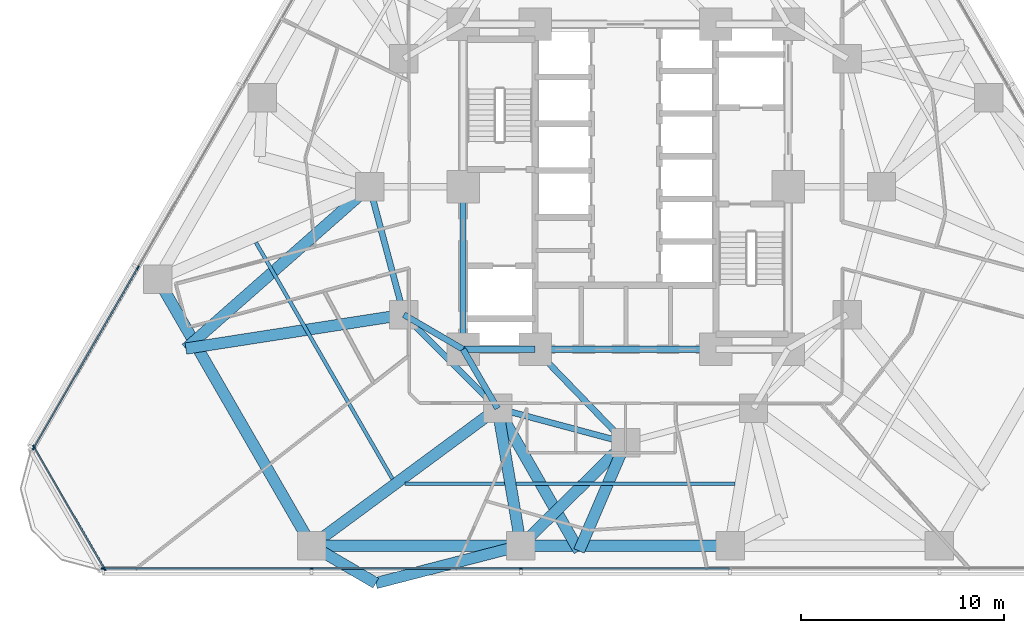
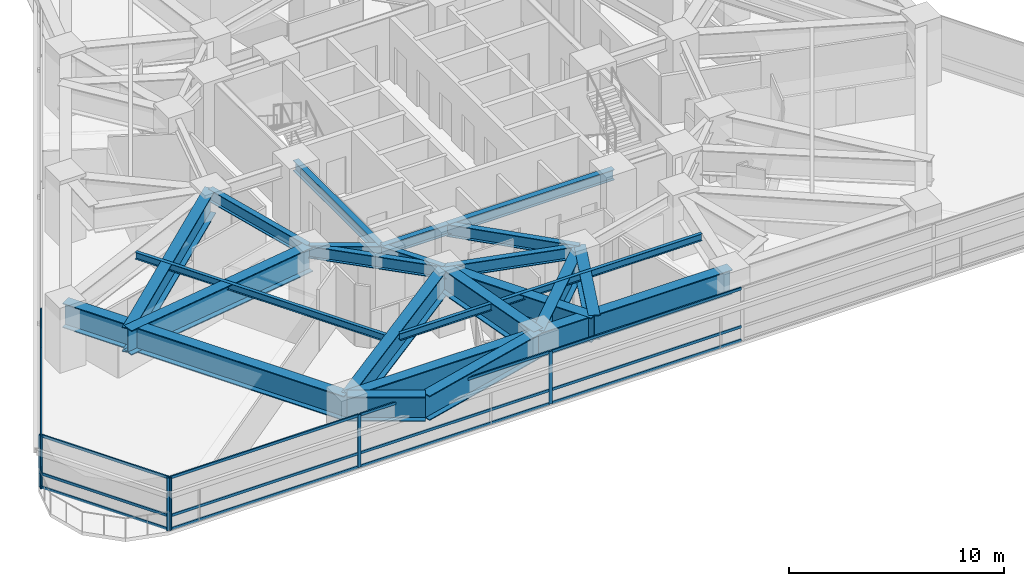
# One storey, part 2 of 15: 24 beams, 22 members, 3 elements without a shape of their own.
"""IFC4 building model written with IfcOpenShell, lengths in metres."""

from ifc_helpers import new_model, si_unit, direction, frame, origin, origin_2d, place, context, subcontext, project, spatial, rectangle, i_section, extrude, material, layer, layer_set, material_profile, profile_set, type_object, element, aggregate, save


model = new_model("IFC4")

# Units and contexts
model_context = context("Model", 3, precision=1e-05, world=origin(), true_north=direction((0.0, 1.0)))
body_context = subcontext(model_context, "Body", "Model", "MODEL_VIEW")
ifc_project = project(units=[si_unit("LENGTHUNIT", "METRE"), si_unit("AREAUNIT", "SQUARE_METRE"), si_unit("VOLUMEUNIT", "CUBIC_METRE"), si_unit("PLANEANGLEUNIT", "RADIAN"), si_unit("MASSUNIT", "GRAM", prefix="KILO")], contexts=[model_context])

# Site, building, storey
site_placement = place(None, origin())
site = spatial("IfcSite", under=ifc_project, at=site_placement, CompositionType="ELEMENT")
building_placement = place(site_placement, origin())
building = spatial("IfcBuilding", under=site, at=building_placement, Name="Terralouvre Media Tower", CompositionType="ELEMENT")
storey_placement = place(building_placement, frame((0.0, 0.0, 51.89990234375)))
storey = spatial("IfcBuildingStorey", under=building, at=storey_placement, Name="L12", CompositionType="ELEMENT", Elevation=51.89990234375)

# Beams
ifc_material_1 = material(Name="Structural steel S355J2", Category="steel")
ifc_material_profile_1 = material_profile(ifc_material_1, i_section(OverallWidth=0.179931640625, OverallDepth=0.39990234375, WebThickness=0.008544921875, FlangeThickness=0.013427734375, at=origin_2d()), Name="IPE 400")
ifc_profile_set_1 = profile_set([ifc_material_profile_1], Name="Structural steel S355J2")
beam_type_1 = type_object("IfcBeamType", Name="Composite Floor Joist J-IPE400 (IPE 400)", PredefinedType="JOIST", material=ifc_profile_set_1)
beam_1_placement = place(storey_placement, frame((-18.19384765625, -2.742919921875, 3.300048828125), z_axis=(0.500000713928, -0.866024991597, 0.0), x_axis=(0.866024991597, 0.500000713928, 0.0)))
element("IfcBeam", 1, at=beam_1_placement, inside=storey, type_object=beam_type_1, Name="L12 Framing Beam JT-L12-01", PredefinedType="JOIST", context=body_context, shape_type="SweptSolid", body=[
    extrude(i_section(OverallWidth=0.179931640625, OverallDepth=0.39990234375, WebThickness=0.008544921875, FlangeThickness=0.013427734375, at=origin_2d()), origin(), (0.0, 0.0, 1.0), 13.44287109375),
])
beam_2_placement = place(storey_placement, frame((-10.863037109375, -14.627197265625, 3.300048828125), z_axis=(1.0, 0.0, 0.0), x_axis=(0.0, 1.0, 0.0)))
element("IfcBeam", 2, at=beam_2_placement, inside=storey, type_object=beam_type_1, Name="L12 Framing Beam JT-L12-02", PredefinedType="JOIST", context=body_context, shape_type="SweptSolid", body=[
    extrude(i_section(OverallWidth=0.179931640625, OverallDepth=0.39990234375, WebThickness=0.008544921875, FlangeThickness=0.013427734375, at=origin_2d()), origin(), (0.0, 0.0, 1.0), 4.91357421875),
])
beam_3_placement = place(storey_placement, frame((-5.385498046875, -14.627197265625, 3.300048828125), z_axis=(1.0, 0.0, 0.0), x_axis=(0.0, 1.0, 0.0)))
element("IfcBeam", 3, at=beam_3_placement, inside=storey, type_object=beam_type_1, Name="L12 Framing Beam JT-L12-03", PredefinedType="JOIST", context=body_context, shape_type="SweptSolid", body=[
    extrude(i_section(OverallWidth=0.179931640625, OverallDepth=0.39990234375, WebThickness=0.008544921875, FlangeThickness=0.013427734375, at=origin_2d()), origin(), (0.0, 0.0, 1.0), 10.77099609375),
])

# Curtain wall, members
ifc_material_2 = material(Name="Low-iron laminated double glazing with solar-control coating", Category="glass")
ifc_layer_1 = layer(ifc_material_2, 0.1650390625, Name="Lower Media Tower Unitised Curtain Wall CW-02")
ifc_layer_set_1 = layer_set([ifc_layer_1], Name="Low-iron laminated double glazing with solar-control coating")
curtain_wall_type_1 = type_object("IfcCurtainWallType", Name="Lower Media Tower Unitised Curtain Wall CW-02", PredefinedType="NOTDEFINED", material=ifc_layer_set_1)
curtain_wall_1_placement = place(storey_placement, origin())
curtain_wall_1 = element("IfcCurtainWall", 4, at=curtain_wall_1_placement, inside=storey, type_object=curtain_wall_type_1, Name="L12 Facade Curtain Wall F0", PredefinedType="NOTDEFINED")
ifc_material_3 = material(Name="Anodised extruded aluminium 6063-T6", Category="aluminium")
ifc_material_profile_2 = material_profile(ifc_material_3, rectangle(XDim=0.074951171875, YDim=0.14990234375, at=origin_2d()), Name="ALU 75x150")
ifc_profile_set_2 = profile_set([ifc_material_profile_2], Name="Anodised extruded aluminium 6063-T6")
member_type_1 = type_object("IfcMemberType", Name="Curtain-Wall Horizontal Transom TR-150", PredefinedType="USERDEFINED", material=ifc_profile_set_2)
member_1_placement = place(storey_placement, frame((-25.675048828125, -18.796875, 0.03759765625), z_axis=(1.0, 0.0, 0.0), x_axis=(0.0, 1.0, 0.0)))
member_1 = element("IfcMember", 5, at=member_1_placement, type_object=member_type_1, Name="CW-02 transom 1.1", ObjectType="TRANSOM", PredefinedType="USERDEFINED", context=body_context, shape_type="SweptSolid", body=[
    extrude(rectangle(XDim=0.074951171875, YDim=0.14990234375, at=origin_2d()), origin(), (0.0, 0.0, 1.0), 10.1875),
])
member_2_placement = place(storey_placement, frame((-25.675048828125, -18.796875, 0.800048828125), z_axis=(1.0, 0.0, 0.0), x_axis=(0.0, 1.0, 0.0)))
member_2 = element("IfcMember", 6, at=member_2_placement, type_object=member_type_1, Name="CW-02 transom 1.2", ObjectType="TRANSOM", PredefinedType="USERDEFINED", context=body_context, shape_type="SweptSolid", body=[
    extrude(rectangle(XDim=0.074951171875, YDim=0.14990234375, at=origin_2d()), origin(), (0.0, 0.0, 1.0), 10.1875),
])
member_3_placement = place(storey_placement, frame((-25.675048828125, -18.796875, 2.962646484375), z_axis=(1.0, 0.0, 0.0), x_axis=(0.0, 1.0, 0.0)))
member_3 = element("IfcMember", 7, at=member_3_placement, type_object=member_type_1, Name="CW-02 transom 1.3", ObjectType="TRANSOM", PredefinedType="USERDEFINED", context=body_context, shape_type="SweptSolid", body=[
    extrude(rectangle(XDim=0.074951171875, YDim=0.14990234375, at=origin_2d()), origin(), (0.0, 0.0, 1.0), 10.1875),
])
member_4_placement = place(storey_placement, frame((-15.41259765625, -18.796875, 0.03759765625), z_axis=(1.0, 0.0, 0.0), x_axis=(0.0, 1.0, 0.0)))
member_4 = element("IfcMember", 8, at=member_4_placement, type_object=member_type_1, Name="CW-02 transom 2.1", ObjectType="TRANSOM", PredefinedType="USERDEFINED", context=body_context, shape_type="SweptSolid", body=[
    extrude(rectangle(XDim=0.074951171875, YDim=0.14990234375, at=origin_2d()), origin(), (0.0, 0.0, 1.0), 10.22509765625),
])
member_5_placement = place(storey_placement, frame((-15.41259765625, -18.796875, 0.800048828125), z_axis=(1.0, 0.0, 0.0), x_axis=(0.0, 1.0, 0.0)))
member_5 = element("IfcMember", 9, at=member_5_placement, type_object=member_type_1, Name="CW-02 transom 2.2", ObjectType="TRANSOM", PredefinedType="USERDEFINED", context=body_context, shape_type="SweptSolid", body=[
    extrude(rectangle(XDim=0.074951171875, YDim=0.14990234375, at=origin_2d()), origin(), (0.0, 0.0, 1.0), 10.22509765625),
])
member_6_placement = place(storey_placement, frame((-15.41259765625, -18.796875, 2.962646484375), z_axis=(1.0, 0.0, 0.0), x_axis=(0.0, 1.0, 0.0)))
member_6 = element("IfcMember", 10, at=member_6_placement, type_object=member_type_1, Name="CW-02 transom 2.3", ObjectType="TRANSOM", PredefinedType="USERDEFINED", context=body_context, shape_type="SweptSolid", body=[
    extrude(rectangle(XDim=0.074951171875, YDim=0.14990234375, at=origin_2d()), origin(), (0.0, 0.0, 1.0), 10.22509765625),
])
member_7_placement = place(storey_placement, frame((-5.112548828125, -18.796875, 0.03759765625), z_axis=(1.0, 0.0, 0.0), x_axis=(0.0, 1.0, 0.0)))
member_7 = element("IfcMember", 11, at=member_7_placement, type_object=member_type_1, Name="CW-02 transom 3.1", ObjectType="TRANSOM", PredefinedType="USERDEFINED", context=body_context, shape_type="SweptSolid", body=[
    extrude(rectangle(XDim=0.074951171875, YDim=0.14990234375, at=origin_2d()), origin(), (0.0, 0.0, 1.0), 10.22509765625),
])
member_8_placement = place(storey_placement, frame((-5.112548828125, -18.796875, 0.800048828125), z_axis=(1.0, 0.0, 0.0), x_axis=(0.0, 1.0, 0.0)))
member_8 = element("IfcMember", 12, at=member_8_placement, type_object=member_type_1, Name="CW-02 transom 3.2", ObjectType="TRANSOM", PredefinedType="USERDEFINED", context=body_context, shape_type="SweptSolid", body=[
    extrude(rectangle(XDim=0.074951171875, YDim=0.14990234375, at=origin_2d()), origin(), (0.0, 0.0, 1.0), 10.22509765625),
])
member_9_placement = place(storey_placement, frame((-5.112548828125, -18.796875, 2.962646484375), z_axis=(1.0, 0.0, 0.0), x_axis=(0.0, 1.0, 0.0)))
member_9 = element("IfcMember", 13, at=member_9_placement, type_object=member_type_1, Name="CW-02 transom 3.3", ObjectType="TRANSOM", PredefinedType="USERDEFINED", context=body_context, shape_type="SweptSolid", body=[
    extrude(rectangle(XDim=0.074951171875, YDim=0.14990234375, at=origin_2d()), origin(), (0.0, 0.0, 1.0), 10.22509765625),
])

curtain_wall_2_placement = place(storey_placement, origin())
curtain_wall_2 = element("IfcCurtainWall", 14, at=curtain_wall_2_placement, inside=storey, type_object=curtain_wall_type_1, Name="L12 Facade Curtain Wall F2", PredefinedType="NOTDEFINED")
member_10_placement = place(storey_placement, frame((-24.022216796875, -4.01416015625, 0.03759765625), z_axis=(-0.499994895054, -0.866028351106, 0.0), x_axis=(0.866028351106, -0.499994895054, 0.0)))
member_10 = element("IfcMember", 15, at=member_10_placement, type_object=member_type_1, Name="CW-02 transom 5.1", ObjectType="TRANSOM", PredefinedType="USERDEFINED", context=body_context, shape_type="SweptSolid", body=[
    extrude(rectangle(XDim=0.074951171875, YDim=0.14990234375, at=origin_2d()), origin(), (0.0, 0.0, 1.0), 10.1875),
])
member_11_placement = place(storey_placement, frame((-24.022216796875, -4.01416015625, 0.800048828125), z_axis=(-0.499994895054, -0.866028351106, 0.0), x_axis=(0.866028351106, -0.499994895054, 0.0)))
member_11 = element("IfcMember", 16, at=member_11_placement, type_object=member_type_1, Name="CW-02 transom 5.2", ObjectType="TRANSOM", PredefinedType="USERDEFINED", context=body_context, shape_type="SweptSolid", body=[
    extrude(rectangle(XDim=0.074951171875, YDim=0.14990234375, at=origin_2d()), origin(), (0.0, 0.0, 1.0), 10.1875),
])
member_12_placement = place(storey_placement, frame((-24.022216796875, -4.01416015625, 2.962646484375), z_axis=(-0.499994895054, -0.866028351106, 0.0), x_axis=(0.866028351106, -0.499994895054, 0.0)))
member_12 = element("IfcMember", 17, at=member_12_placement, type_object=member_type_1, Name="CW-02 transom 5.3", ObjectType="TRANSOM", PredefinedType="USERDEFINED", context=body_context, shape_type="SweptSolid", body=[
    extrude(rectangle(XDim=0.074951171875, YDim=0.14990234375, at=origin_2d()), origin(), (0.0, 0.0, 1.0), 10.1875),
])

ifc_material_4 = material(Name="Low-iron laminated double glazing with solar-control coating", Category="glass")
ifc_layer_2 = layer(ifc_material_4, 0.1650390625, Name="Rounded Wind-Corner Curved Glazing CW-04")
ifc_layer_set_2 = layer_set([ifc_layer_2], Name="Low-iron laminated double glazing with solar-control coating")
curtain_wall_type_2 = type_object("IfcCurtainWallType", Name="Rounded Wind-Corner Curved Glazing CW-04", PredefinedType="NOTDEFINED", material=ifc_layer_set_2)
curtain_wall_3_placement = place(storey_placement, origin())
curtain_wall_3 = element("IfcCurtainWall", 18, at=curtain_wall_3_placement, inside=storey, type_object=curtain_wall_type_2, Name="L12 Rounded Wind-Corner Curtain Wall C0", PredefinedType="NOTDEFINED")
member_13_placement = place(storey_placement, frame((-29.0986328125, -12.836669921875, 0.03759765625), z_axis=(0.499998495495, -0.866026272409, 0.0), x_axis=(0.866026272409, 0.499998495495, 0.0)))
member_13 = element("IfcMember", 19, at=member_13_placement, type_object=member_type_1, Name="CW-04 transom 1.1", ObjectType="TRANSOM", PredefinedType="USERDEFINED", context=body_context, shape_type="SweptSolid", body=[
    extrude(rectangle(XDim=0.074951171875, YDim=0.14990234375, at=origin_2d()), origin(), (0.0, 0.0, 1.0), 6.86474609375),
])
member_14_placement = place(storey_placement, frame((-29.0986328125, -12.836669921875, 0.800048828125), z_axis=(0.499998495495, -0.866026272409, 0.0), x_axis=(0.866026272409, 0.499998495495, 0.0)))
member_14 = element("IfcMember", 20, at=member_14_placement, type_object=member_type_1, Name="CW-04 transom 1.2", ObjectType="TRANSOM", PredefinedType="USERDEFINED", context=body_context, shape_type="SweptSolid", body=[
    extrude(rectangle(XDim=0.074951171875, YDim=0.14990234375, at=origin_2d()), origin(), (0.0, 0.0, 1.0), 6.86474609375),
])
member_15_placement = place(storey_placement, frame((-29.0986328125, -12.836669921875, 2.962646484375), z_axis=(0.499998495495, -0.866026272409, 0.0), x_axis=(0.866026272409, 0.499998495495, 0.0)))
member_15 = element("IfcMember", 21, at=member_15_placement, type_object=member_type_1, Name="CW-04 transom 1.3", ObjectType="TRANSOM", PredefinedType="USERDEFINED", context=body_context, shape_type="SweptSolid", body=[
    extrude(rectangle(XDim=0.074951171875, YDim=0.14990234375, at=origin_2d()), origin(), (0.0, 0.0, 1.0), 6.86474609375),
])

# Member
ifc_material_5 = material(Name="Anodised extruded aluminium 6063-T6", Category="aluminium")
ifc_material_profile_3 = material_profile(ifc_material_5, rectangle(XDim=0.074951171875, YDim=0.179931640625, at=origin_2d()), Name="ALU 75x180")
ifc_profile_set_3 = profile_set([ifc_material_profile_3], Name="Anodised extruded aluminium 6063-T6")
member_type_2 = type_object("IfcMemberType", Name="Curtain-Wall Vertical Mullion ML-180", PredefinedType="MULLION", material=ifc_profile_set_3)
member_16_placement = place(storey_placement, frame((-25.71240234375, -18.796875, 0.0), z_axis=(0.0, 0.0, 1.0), x_axis=(0.0, 1.0, 0.0)))
member_16 = element("IfcMember", 22, at=member_16_placement, type_object=member_type_2, Name="CW-02 mullion 1", PredefinedType="MULLION", context=body_context, shape_type="SweptSolid", body=[
    extrude(rectangle(XDim=0.074951171875, YDim=0.179931640625, at=origin_2d()), origin(), (0.0, 0.0, 1.0), 3.0),
])

member_17_placement = place(storey_placement, frame((-15.449951171875, -18.796875, 0.0), z_axis=(0.0, 0.0, 1.0), x_axis=(0.0, 1.0, 0.0)))
member_17 = element("IfcMember", 23, at=member_17_placement, type_object=member_type_2, Name="CW-02 mullion 2", PredefinedType="MULLION", context=body_context, shape_type="SweptSolid", body=[
    extrude(rectangle(XDim=0.074951171875, YDim=0.179931640625, at=origin_2d()), origin(), (0.0, 0.0, 1.0), 3.0),
])

member_18_placement = place(storey_placement, frame((-5.14990234375, -18.796875, 0.0), z_axis=(0.0, 0.0, 1.0), x_axis=(0.0, 1.0, 0.0)))
member_18 = element("IfcMember", 24, at=member_18_placement, type_object=member_type_2, Name="CW-02 mullion 3", PredefinedType="MULLION", context=body_context, shape_type="SweptSolid", body=[
    extrude(rectangle(XDim=0.074951171875, YDim=0.179931640625, at=origin_2d()), origin(), (0.0, 0.0, 1.0), 3.0),
])

aggregate(curtain_wall_1, [member_16, member_17, member_18, member_1, member_2, member_3, member_4, member_5, member_6, member_7, member_8, member_9])

member_19_placement = place(storey_placement, frame((-24.00341796875, -3.981689453125, 0.0), z_axis=(0.0, 0.0, 1.0), x_axis=(0.866025412057, -0.499999985671, 0.0)))
member_19 = element("IfcMember", 25, at=member_19_placement, type_object=member_type_2, Name="CW-02 mullion 5", PredefinedType="MULLION", context=body_context, shape_type="SweptSolid", body=[
    extrude(rectangle(XDim=0.074951171875, YDim=0.179931640625, at=origin_2d()), origin(), (0.0, 0.0, 1.0), 3.0),
])

member_20_placement = place(storey_placement, frame((-29.134765625, -12.869384765625, 0.0), z_axis=(0.0, 0.0, 1.0), x_axis=(0.866025412057, -0.499999985671, 0.0)))
member_20 = element("IfcMember", 26, at=member_20_placement, type_object=member_type_2, Name="CW-02 mullion 6", PredefinedType="MULLION", context=body_context, shape_type="SweptSolid", body=[
    extrude(rectangle(XDim=0.074951171875, YDim=0.179931640625, at=origin_2d()), origin(), (0.0, 0.0, 1.0), 3.0),
])

aggregate(curtain_wall_2, [member_19, member_20, member_10, member_11, member_12])

member_21_placement = place(storey_placement, frame((-29.117431640625, -12.80419921875, 0.0), z_axis=(0.0, 0.0, 1.0), x_axis=(0.866025581895, 0.499999691503, 0.0)))
member_21 = element("IfcMember", 27, at=member_21_placement, type_object=member_type_2, Name="CW-04 mullion 1", PredefinedType="MULLION", context=body_context, shape_type="SweptSolid", body=[
    extrude(rectangle(XDim=0.074951171875, YDim=0.179931640625, at=origin_2d()), origin(), (0.0, 0.0, 1.0), 3.0),
])

member_22_placement = place(storey_placement, frame((-25.6474609375, -18.814208984375, 0.0), z_axis=(0.0, 0.0, 1.0), x_axis=(0.866025581895, 0.499999691503, 0.0)))
member_22 = element("IfcMember", 28, at=member_22_placement, type_object=member_type_2, Name="CW-04 mullion 2", PredefinedType="MULLION", context=body_context, shape_type="SweptSolid", body=[
    extrude(rectangle(XDim=0.074951171875, YDim=0.179931640625, at=origin_2d()), origin(), (0.0, 0.0, 1.0), 3.0),
])

aggregate(curtain_wall_3, [member_21, member_22, member_13, member_14, member_15])

# Beams
ifc_material_6 = material(Name="Structural steel S460M", Category="steel")
ifc_material_profile_4 = material_profile(ifc_material_6, i_section(OverallWidth=0.300048828125, OverallDepth=0.60009765625, WebThickness=0.015380859375, FlangeThickness=0.030029296875, at=origin_2d()), Name="HEB 600")
ifc_profile_set_4 = profile_set([ifc_material_profile_4], Name="Structural steel S460M")
beam_type_2 = type_object("IfcBeamType", Name="Primary Floor Girder B-HEB600 (HEB 600)", PredefinedType="BEAM", material=ifc_profile_set_4)
beam_4_placement = place(storey_placement, frame((-8.0, -8.0, 3.2001953125), z_axis=(1.0, 0.0, 0.0), x_axis=(0.0, 1.0, 0.0)))
element("IfcBeam", 29, at=beam_4_placement, inside=storey, type_object=beam_type_2, Name="L12 Framing Beam BM-L12-CPR01", PredefinedType="BEAM", context=body_context, shape_type="SweptSolid", body=[
    extrude(i_section(OverallWidth=0.300048828125, OverallDepth=0.60009765625, WebThickness=0.015380859375, FlangeThickness=0.030029296875, at=origin_2d()), origin(), (0.0, 0.0, 1.0), 3.550048828125),
])
beam_5_placement = place(storey_placement, frame((-4.449951171875, -8.0, 3.2001953125), z_axis=(1.0, 0.0, 0.0), x_axis=(0.0, 1.0, 0.0)))
element("IfcBeam", 30, at=beam_5_placement, inside=storey, type_object=beam_type_2, Name="L12 Framing Beam BM-L12-CPR02", PredefinedType="BEAM", context=body_context, shape_type="SweptSolid", body=[
    extrude(i_section(OverallWidth=0.300048828125, OverallDepth=0.60009765625, WebThickness=0.015380859375, FlangeThickness=0.030029296875, at=origin_2d()), origin(), (0.0, 0.0, 1.0), 8.89990234375),
])
beam_6_placement = place(storey_placement, frame((-8.0, 0.0, 3.2001953125), z_axis=(0.0, -1.0, 0.0), x_axis=(1.0, 0.0, 0.0)))
element("IfcBeam", 31, at=beam_6_placement, inside=storey, type_object=beam_type_2, Name="L12 Framing Beam BM-L12-CPR10", PredefinedType="BEAM", context=body_context, shape_type="SweptSolid", body=[
    extrude(i_section(OverallWidth=0.300048828125, OverallDepth=0.60009765625, WebThickness=0.015380859375, FlangeThickness=0.030029296875, at=origin_2d()), origin(), (0.0, 0.0, 1.0), 8.0),
])
ifc_material_7 = material(Name="Structural steel S460M", Category="steel")
ifc_material_profile_5 = material_profile(ifc_material_7, i_section(OverallWidth=0.300048828125, OverallDepth=0.699951171875, WebThickness=0.01708984375, FlangeThickness=0.031982421875, at=origin_2d()), Name="HEB 700")
ifc_profile_set_5 = profile_set([ifc_material_profile_5], Name="Structural steel S460M")
beam_type_3 = type_object("IfcBeamType", Name="Primary Floor Girder B-HEB700 (HEB 700)", PredefinedType="BEAM", material=ifc_profile_set_5)
beam_7_placement = place(storey_placement, frame((-10.911865234375, -6.300048828125, 3.150146484375), z_axis=(0.707106781187, -0.707106781187, 0.0), x_axis=(0.707106781187, 0.707106781187, 0.0)))
element("IfcBeam", 32, at=beam_7_placement, inside=storey, type_object=beam_type_3, Name="L12 Framing Beam BM-L12-MR01", PredefinedType="BEAM", context=body_context, shape_type="SweptSolid", body=[
    extrude(i_section(OverallWidth=0.300048828125, OverallDepth=0.699951171875, WebThickness=0.01708984375, FlangeThickness=0.031982421875, at=origin_2d()), origin(), (0.0, 0.0, 1.0), 6.52197265625),
])
for number, where, z_axis, x_axis, name in (
    (33, (-6.300048828125, -10.911865234375, 3.150146484375), (0.965920481897, -0.258838989821, 0.0), (0.258838989821, 0.965920481897, 0.0), "L12 Framing Beam BM-L12-MR02"),
    (34, (-12.60009765625, 0.0, 3.150146484375), (0.258838989821, -0.965920481897, 0.0), (0.965920481897, 0.258838989821, 0.0), "L12 Framing Beam BM-L12-MR12"),
):
    element("IfcBeam", number, at=place(storey_placement, frame(where, z_axis=z_axis, x_axis=x_axis)), inside=storey, type_object=beam_type_3, Name=name, PredefinedType="BEAM", context=body_context, shape_type="SweptSolid", body=[
        extrude(i_section(OverallWidth=0.300048828125, OverallDepth=0.699951171875, WebThickness=0.01708984375, FlangeThickness=0.031982421875, at=origin_2d()), origin(), (0.0, 0.0, 1.0), 6.522216796875),
    ])
for number, where, z_axis, x_axis, name in (
    (35, (-8.0, -8.0, 3.150146484375), (-0.863602894532, 0.504172629717, 0.0), (-0.504172629717, -0.863602894532, 0.0), "L12 Framing Beam BM-L12-CM01"),
    (36, (-8.0, -8.0, 3.150146484375), (0.504172629717, -0.863602894532, 0.0), (0.863602894532, 0.504172629717, 0.0), "L12 Framing Beam BM-L12-CM02"),
):
    element("IfcBeam", number, at=place(storey_placement, frame(where, z_axis=z_axis, x_axis=x_axis)), inside=storey, type_object=beam_type_3, Name=name, PredefinedType="BEAM", context=body_context, shape_type="SweptSolid", body=[
        extrude(i_section(OverallWidth=0.300048828125, OverallDepth=0.699951171875, WebThickness=0.01708984375, FlangeThickness=0.031982421875, at=origin_2d()), origin(), (0.0, 0.0, 1.0), 3.371826171875),
    ])
beam_8_placement = place(storey_placement, frame((-4.449951171875, -8.0, 3.150146484375), z_axis=(0.695279715726, -0.718739255155, 0.0), x_axis=(0.718739255155, 0.695279715726, 0.0)))
element("IfcBeam", 37, at=beam_8_placement, inside=storey, type_object=beam_type_3, Name="L12 Framing Beam BM-L12-CM03", PredefinedType="BEAM", context=body_context, shape_type="SweptSolid", body=[
    extrude(i_section(OverallWidth=0.300048828125, OverallDepth=0.699951171875, WebThickness=0.01708984375, FlangeThickness=0.031982421875, at=origin_2d()), origin(), (0.0, 0.0, 1.0), 6.400146484375),
])
ifc_material_8 = material(Name="Structural steel S460M", Category="steel")
ifc_material_profile_6 = material_profile(ifc_material_8, i_section(OverallWidth=0.56005859375, OverallDepth=1.39990234375, WebThickness=0.031982421875, FlangeThickness=0.050048828125, at=origin_2d()), Name="TG 1400x560")
ifc_profile_set_6 = profile_set([ifc_material_profile_6], Name="Structural steel S460M")
beam_type_4 = type_object("IfcBeamType", Name="Welded Transfer Girder TG-1400 (TG 1400x560)", PredefinedType="USERDEFINED", material=ifc_profile_set_6)
beam_9_placement = place(storey_placement, frame((-23.02490234375, -4.546630859375, 2.800048828125), z_axis=(0.500002375365, -0.866024032363, 0.0), x_axis=(0.866024032363, 0.500002375365, 0.0)))
element("IfcBeam", 38, at=beam_9_placement, inside=storey, type_object=beam_type_4, Name="L12 Framing Beam BM-L12-PR01", ObjectType="TRANSFER GIRDER", PredefinedType="USERDEFINED", context=body_context, shape_type="SweptSolid", body=[
    extrude(i_section(OverallWidth=0.56005859375, OverallDepth=1.39990234375, WebThickness=0.031982421875, FlangeThickness=0.050048828125, at=origin_2d()), origin(), (0.0, 0.0, 1.0), 15.14990234375),
])
beam_10_placement = place(storey_placement, frame((-15.449951171875, -17.666748046875, 2.800048828125), z_axis=(1.0, 0.0, 0.0), x_axis=(0.0, 1.0, 0.0)))
element("IfcBeam", 39, at=beam_10_placement, inside=storey, type_object=beam_type_4, Name="L12 Framing Beam BM-L12-PR02", ObjectType="TRANSFER GIRDER", PredefinedType="USERDEFINED", context=body_context, shape_type="SweptSolid", body=[
    extrude(i_section(OverallWidth=0.56005859375, OverallDepth=1.39990234375, WebThickness=0.031982421875, FlangeThickness=0.050048828125, at=origin_2d()), origin(), (0.0, 0.0, 1.0), 10.300048828125),
])
beam_11_placement = place(storey_placement, frame((-5.14990234375, -17.666748046875, 2.800048828125), z_axis=(1.0, 0.0, 0.0), x_axis=(0.0, 1.0, 0.0)))
element("IfcBeam", 40, at=beam_11_placement, inside=storey, type_object=beam_type_4, Name="L12 Framing Beam BM-L12-PR03", ObjectType="TRANSFER GIRDER", PredefinedType="USERDEFINED", context=body_context, shape_type="SweptSolid", body=[
    extrude(i_section(OverallWidth=0.56005859375, OverallDepth=1.39990234375, WebThickness=0.031982421875, FlangeThickness=0.050048828125, at=origin_2d()), origin(), (0.0, 0.0, 1.0), 10.2998046875),
])
beam_12_placement = place(storey_placement, frame((-6.300048828125, -10.911865234375, 2.800048828125), z_axis=(-0.804515955091, -0.593931038088, 0.0), x_axis=(0.593931038088, -0.804515955091, 0.0)))
element("IfcBeam", 41, at=beam_12_placement, inside=storey, type_object=beam_type_4, Name="L12 Framing Beam BM-L12-RD02", ObjectType="TRANSFER GIRDER", PredefinedType="USERDEFINED", context=body_context, shape_type="SweptSolid", body=[
    extrude(i_section(OverallWidth=0.56005859375, OverallDepth=1.39990234375, WebThickness=0.031982421875, FlangeThickness=0.050048828125, at=origin_2d()), origin(), (0.0, 0.0, 1.0), 11.373291015625),
])
beam_13_placement = place(storey_placement, frame((-6.300048828125, -10.911865234375, 2.800048828125), z_axis=(0.167853129882, -0.98581201392, 0.0), x_axis=(0.98581201392, 0.167853129882, 0.0)))
element("IfcBeam", 42, at=beam_13_placement, inside=storey, type_object=beam_type_4, Name="L12 Framing Beam BM-L12-RD03", ObjectType="TRANSFER GIRDER", PredefinedType="USERDEFINED", context=body_context, shape_type="SweptSolid", body=[
    extrude(i_section(OverallWidth=0.56005859375, OverallDepth=1.39990234375, WebThickness=0.031982421875, FlangeThickness=0.050048828125, at=origin_2d()), origin(), (0.0, 0.0, 1.0), 6.85205078125),
])
beam_14_placement = place(storey_placement, frame((-12.291015625, -19.511474609375, 2.800048828125), z_axis=(-0.863539164345, 0.504281778019, 0.0), x_axis=(-0.504281778019, -0.863539164345, 0.0)))
element("IfcBeam", 43, at=beam_14_placement, inside=storey, type_object=beam_type_4, Name="L12 Framing Beam BM-L12-TR01S1", ObjectType="TRANSFER GIRDER", PredefinedType="USERDEFINED", context=body_context, shape_type="SweptSolid", body=[
    extrude(i_section(OverallWidth=0.56005859375, OverallDepth=1.39990234375, WebThickness=0.031982421875, FlangeThickness=0.050048828125, at=origin_2d()), origin(), (0.0, 0.0, 1.0), 3.658203125),
])
beam_15_placement = place(storey_placement, frame((-12.291015625, -19.511474609375, 2.800048828125), z_axis=(0.968216323697, 0.250114274935, 0.0), x_axis=(-0.250114274935, 0.968216323697, 0.0)))
element("IfcBeam", 44, at=beam_15_placement, inside=storey, type_object=beam_type_4, Name="L12 Framing Beam BM-L12-TR01S2", ObjectType="TRANSFER GIRDER", PredefinedType="USERDEFINED", context=body_context, shape_type="SweptSolid", body=[
    extrude(i_section(OverallWidth=0.56005859375, OverallDepth=1.39990234375, WebThickness=0.031982421875, FlangeThickness=0.050048828125, at=origin_2d()), origin(), (0.0, 0.0, 1.0), 7.37548828125),
])
beam_16_placement = place(storey_placement, frame((-5.14990234375, -17.666748046875, 2.800048828125), z_axis=(0.712845138324, 0.701321473198, 0.0), x_axis=(-0.701321473198, 0.712845138324, 0.0)))
element("IfcBeam", 45, at=beam_16_placement, inside=storey, type_object=beam_type_4, Name="L12 Framing Beam BM-L12-TRC02", ObjectType="TRANSFER GIRDER", PredefinedType="USERDEFINED", context=body_context, shape_type="SweptSolid", body=[
    extrude(i_section(OverallWidth=0.56005859375, OverallDepth=1.39990234375, WebThickness=0.031982421875, FlangeThickness=0.050048828125, at=origin_2d()), origin(), (0.0, 0.0, 1.0), 7.224365234375),
])
beam_17_placement = place(storey_placement, frame((-2.287841796875, -17.927001953125, 2.800048828125), z_axis=(0.394630726641, 0.918839806272, 0.0), x_axis=(-0.918839806272, 0.394630726641, 0.0)))
element("IfcBeam", 46, at=beam_17_placement, inside=storey, type_object=beam_type_4, Name="L12 Framing Beam BM-L12-TR02S1", ObjectType="TRANSFER GIRDER", PredefinedType="USERDEFINED", context=body_context, shape_type="SweptSolid", body=[
    extrude(i_section(OverallWidth=0.56005859375, OverallDepth=1.39990234375, WebThickness=0.031982421875, FlangeThickness=0.050048828125, at=origin_2d()), origin(), (0.0, 0.0, 1.0), 5.79736328125),
])
beam_18_placement = place(storey_placement, frame((-2.287841796875, -17.927001953125, 2.800048828125), z_axis=(-0.496470747087, 0.868053453012, 0.0), x_axis=(-0.868053453012, -0.496470747087, 0.0)))
element("IfcBeam", 47, at=beam_18_placement, inside=storey, type_object=beam_type_4, Name="L12 Framing Beam BM-L12-TR02S2", ObjectType="TRANSFER GIRDER", PredefinedType="USERDEFINED", context=body_context, shape_type="SweptSolid", body=[
    extrude(i_section(OverallWidth=0.56005859375, OverallDepth=1.39990234375, WebThickness=0.031982421875, FlangeThickness=0.050048828125, at=origin_2d()), origin(), (0.0, 0.0, 1.0), 8.08154296875),
])
beam_19_placement = place(storey_placement, frame((-21.640625, -7.9658203125, 2.800048828125), z_axis=(0.98816044694, 0.153424023881, 0.0), x_axis=(-0.153424023881, 0.98816044694, 0.0)))
element("IfcBeam", 48, at=beam_19_placement, inside=storey, type_object=beam_type_4, Name="L12 Framing Beam BM-L12-TR12S1", ObjectType="TRANSFER GIRDER", PredefinedType="USERDEFINED", context=body_context, shape_type="SweptSolid", body=[
    extrude(i_section(OverallWidth=0.56005859375, OverallDepth=1.39990234375, WebThickness=0.031982421875, FlangeThickness=0.050048828125, at=origin_2d()), origin(), (0.0, 0.0, 1.0), 10.857421875),
])
beam_20_placement = place(storey_placement, frame((-21.640625, -7.9658203125, 2.800048828125), z_axis=(0.750295340903, 0.661102791871, 0.0), x_axis=(-0.661102791871, 0.750295340903, 0.0)))
element("IfcBeam", 49, at=beam_20_placement, inside=storey, type_object=beam_type_4, Name="L12 Framing Beam BM-L12-TR12S2", ObjectType="TRANSFER GIRDER", PredefinedType="USERDEFINED", context=body_context, shape_type="SweptSolid", body=[
    extrude(i_section(OverallWidth=0.56005859375, OverallDepth=1.39990234375, WebThickness=0.031982421875, FlangeThickness=0.050048828125, at=origin_2d()), origin(), (0.0, 0.0, 1.0), 12.04931640625),
])

save(model, "model.ifc")
